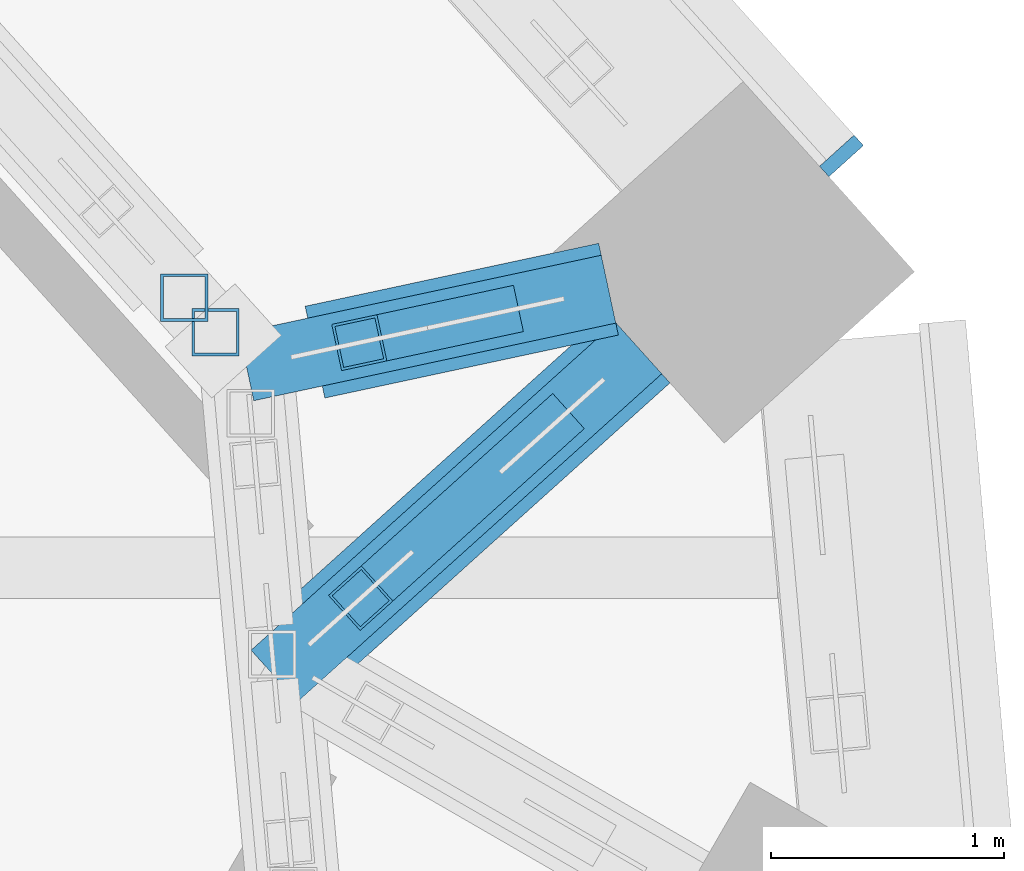
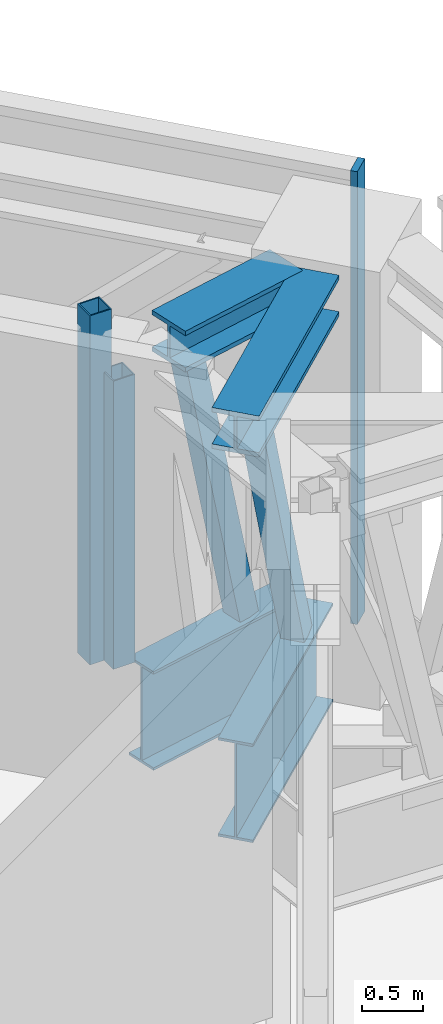
# One storey, part 10 of 25: 9 members, 1 element without a shape of its own.
"""IFC4 building model written with IfcOpenShell, lengths in metres."""

from ifc_helpers import new_model, si_unit, direction, frame, origin, origin_2d, place, context, subcontext, project, spatial, rectangle, hollow_rectangle, i_section, extrude, material, layer, layer_set, material_profile, profile_set, type_object, element, aggregate, save


model = new_model("IFC4")

# Units and contexts
model_context = context("Model", 3, precision=1e-05, world=origin(), true_north=direction((0.0, 1.0)))
body_context = subcontext(model_context, "Body", "Model", "MODEL_VIEW")
ifc_project = project(units=[si_unit("LENGTHUNIT", "METRE"), si_unit("AREAUNIT", "SQUARE_METRE"), si_unit("VOLUMEUNIT", "CUBIC_METRE"), si_unit("PLANEANGLEUNIT", "RADIAN"), si_unit("MASSUNIT", "GRAM", prefix="KILO")], contexts=[model_context])

# Site, building, storey
site_placement = place(None, origin())
site = spatial("IfcSite", under=ifc_project, at=site_placement, CompositionType="ELEMENT")
building_placement = place(site_placement, origin())
building = spatial("IfcBuilding", under=site, at=building_placement, Name="Isthmus Gate Tower", CompositionType="ELEMENT")
storey_placement = place(building_placement, frame((0.0, 0.0, 256.449951171875)))
storey = spatial("IfcBuildingStorey", under=building, at=storey_placement, Name="L65", CompositionType="ELEMENT", Elevation=256.449951171875)

# Curtain wall, member
ifc_material_1 = material(Name="Aluminium, pale champagne anodised", Category="aluminium")
ifc_layer = layer(ifc_material_1, 0.199951171875)
ifc_layer_set = layer_set([ifc_layer], Name="CW-2 LOUVRE CURTAIN WALL 200 DEEP")
curtain_wall_type = type_object("IfcCurtainWallType", Name="CW-2 LOUVRE CURTAIN WALL 200 DEEP", PredefinedType="NOTDEFINED", material=ifc_layer_set)
curtain_wall_placement = place(storey_placement, origin())
curtain_wall = element("IfcCurtainWall", 1, at=curtain_wall_placement, inside=storey, type_object=curtain_wall_type, Name="CW-2 NE L65", PredefinedType="NOTDEFINED")
ifc_material_2 = material(Name="Aluminium, pale champagne anodised", Category="aluminium")
ifc_material_profile_1 = material_profile(ifc_material_2, rectangle(XDim=0.06005859375, YDim=0.199951171875, at=origin_2d()), Name="60x200")
ifc_profile_set_1 = profile_set([ifc_material_profile_1], Name="Aluminium, pale champagne anodised")
member_type_1 = type_object("IfcMemberType", Name="CW-2 MULLION 60 X 200", PredefinedType="MULLION", material=ifc_profile_set_1)
member_1_placement = place(storey_placement, frame((29.016357421875, 4.46923828125, 0.0), z_axis=(0.0, 0.0, 1.0), x_axis=(-0.669130606359, 0.743144825477, 0.0)))
member_1 = element("IfcMember", 2, at=member_1_placement, type_object=member_type_1, Name="CW-2 mullion", PredefinedType="MULLION", context=body_context, shape_type="SweptSolid", body=[
    extrude(rectangle(XDim=0.06005859375, YDim=0.199951171875, at=origin_2d()), origin(), (0.0, 0.0, 1.0), 4.5),
])
aggregate(curtain_wall, [member_1])

# Members
ifc_material_3 = material(Name="Structural steel ASTM A913 Gr 65", Category="steel")
ifc_material_profile_2 = material_profile(ifc_material_3, i_section(OverallWidth=0.4033203125, OverallDepth=0.406494140625, WebThickness=0.027099609375, FlangeThickness=0.04443359375, at=origin_2d()), Name="W14X233")
ifc_profile_set_2 = profile_set([ifc_material_profile_2], Name="Structural steel ASTM A913 Gr 65")
member_type_2 = type_object("IfcMemberType", Name="TRANSFER TRUSS CHORD W14X233", PredefinedType="CHORD", material=ifc_profile_set_2)
member_2_placement = place(storey_placement, frame((28.14453125, 3.643798828125, 4.046875), z_axis=(-0.743161601784, -0.669111973913, 0.0), x_axis=(0.669111973913, -0.743161601784, 0.0)))
element("IfcMember", 3, at=member_2_placement, inside=storey, type_object=member_type_2, Name="str-link25-L65-02", PredefinedType="CHORD", context=body_context, shape_type="SweptSolid", body=[
    extrude(i_section(OverallWidth=0.4033203125, OverallDepth=0.406494140625, WebThickness=0.027099609375, FlangeThickness=0.04443359375, at=origin_2d()), origin(), (0.0, 0.0, 1.0), 2.106689453125),
])
member_3_placement = place(storey_placement, frame((28.015380859375, 3.896484375, 4.046875), z_axis=(-0.97777194169, -0.20967124277, 0.0), x_axis=(0.20967124277, -0.97777194169, 0.0)))
element("IfcMember", 4, at=member_3_placement, inside=storey, type_object=member_type_2, Name="str-link32-L65-02", PredefinedType="CHORD", context=body_context, shape_type="SweptSolid", body=[
    extrude(i_section(OverallWidth=0.4033203125, OverallDepth=0.406494140625, WebThickness=0.027099609375, FlangeThickness=0.04443359375, at=origin_2d()), origin(), (0.0, 0.0, 1.0), 1.2900390625),
])
ifc_material_4 = material(Name="Structural steel ASTM A913 Gr 65", Category="steel")
ifc_material_profile_3 = material_profile(ifc_material_4, i_section(OverallWidth=0.29833984375, OverallDepth=0.981201171875, WebThickness=0.015869140625, FlangeThickness=0.025390625, at=origin_2d()), Name="W40X167")
ifc_profile_set_3 = profile_set([ifc_material_profile_3], Name="Structural steel ASTM A913 Gr 65")
member_type_3 = type_object("IfcMemberType", Name="TRANSFER TRUSS CHORD W40X167", PredefinedType="CHORD", material=ifc_profile_set_3)
member_4_placement = place(storey_placement, frame((28.14453125, 3.643798828125, 0.490478515625), z_axis=(-0.743161601784, -0.669111973913, 0.0), x_axis=(0.669111973913, -0.743161601784, 0.0)))
element("IfcMember", 5, at=member_4_placement, inside=storey, type_object=member_type_3, Name="str-link25-L65-01", PredefinedType="CHORD", context=body_context, shape_type="SweptSolid", body=[
    extrude(i_section(OverallWidth=0.29833984375, OverallDepth=0.981201171875, WebThickness=0.015869140625, FlangeThickness=0.025390625, at=origin_2d()), origin(), (0.0, 0.0, 1.0), 2.106689453125),
])
member_5_placement = place(storey_placement, frame((28.015380859375, 3.896484375, 0.490478515625), z_axis=(-0.977784445586, -0.209612924148, 0.0), x_axis=(0.209612924148, -0.977784445586, 0.0)))
element("IfcMember", 6, at=member_5_placement, inside=storey, type_object=member_type_3, Name="str-link32-L65-01", PredefinedType="CHORD", context=body_context, shape_type="SweptSolid", body=[
    extrude(i_section(OverallWidth=0.29833984375, OverallDepth=0.981201171875, WebThickness=0.015869140625, FlangeThickness=0.025390625, at=origin_2d()), origin(), (0.0, 0.0, 1.0), 1.591064453125),
])
ifc_material_5 = material(Name="Structural steel ASTM A500 Gr C", Category="steel")
ifc_material_profile_4 = material_profile(ifc_material_5, hollow_rectangle(XDim=0.203125, YDim=0.203125, WallThickness=0.01171875, at=origin_2d()), Name="HSS8X8X1/2")
ifc_profile_set_4 = profile_set([ifc_material_profile_4], Name="Structural steel ASTM A500 Gr C")
member_type_4 = type_object("IfcMemberType", Name="TRANSFER TRUSS DIAGONAL HSS8X8X1/2", PredefinedType="BRACE", material=ifc_profile_set_4)
member_6_placement = place(storey_placement, frame((27.77294921875, 3.309326171875, 0.981201171875), z_axis=(-0.267997008667, -0.241348448886, 0.932699592348), x_axis=(0.669196232188, -0.743085730468, 0.0)))
element("IfcMember", 7, at=member_6_placement, inside=storey, type_object=member_type_4, Name="str-link25-L65-03", PredefinedType="BRACE", context=body_context, shape_type="SweptSolid", body=[
    extrude(hollow_rectangle(XDim=0.203125, YDim=0.203125, WallThickness=0.01171875, at=origin_2d()), origin(), (0.0, 0.0, 1.0), 3.069091796875),
])
member_7_placement = place(storey_placement, frame((27.531005859375, 3.792724609375, 0.981201171875), z_axis=(-0.200587179311, -0.043072403048, 0.978728538253), x_axis=(0.209945865231, -0.977713011917, 0.0)))
element("IfcMember", 8, at=member_7_placement, inside=storey, type_object=member_type_4, Name="str-link32-L65-03", PredefinedType="BRACE", context=body_context, shape_type="SweptSolid", body=[
    extrude(hollow_rectangle(XDim=0.203125, YDim=0.203125, WallThickness=0.01171875, at=origin_2d()), origin(), (0.0, 0.0, 1.0), 2.9248046875),
])
ifc_material_6 = material(Name="Structural steel ASTM A500 Gr C", Category="steel")
ifc_material_profile_5 = material_profile(ifc_material_6, hollow_rectangle(XDim=0.203125, YDim=0.203125, WallThickness=0.01171875, at=origin_2d()), Name="HSS8X8X1/2")
ifc_profile_set_5 = profile_set([ifc_material_profile_5], Name="Structural steel ASTM A500 Gr C")
member_type_5 = type_object("IfcMemberType", Name="TRANSFER TRUSS POST HSS8X8X1/2", PredefinedType="POST", material=ifc_profile_set_5)
member_8_placement = place(storey_placement, frame((26.19189453125, 3.860107421875, 0.981201171875), z_axis=(0.0, 0.0, 1.0), x_axis=(1.0, 0.0, 0.0)))
element("IfcMember", 9, at=member_8_placement, inside=storey, type_object=member_type_5, Name="str-ring01-L65-08", PredefinedType="POST", context=body_context, shape_type="SweptSolid", body=[
    extrude(hollow_rectangle(XDim=0.203125, YDim=0.203125, WallThickness=0.01171875, at=origin_2d()), origin(), (0.0, 0.0, 1.0), 3.46875),
])
member_9_placement = place(storey_placement, frame((26.325927734375, 3.71142578125, 0.981201171875), z_axis=(0.0, 0.0, 1.0), x_axis=(1.0, 0.0, 0.0)))
element("IfcMember", 10, at=member_9_placement, inside=storey, type_object=member_type_5, Name="str-ring01-L65-09", PredefinedType="POST", context=body_context, shape_type="SweptSolid", body=[
    extrude(hollow_rectangle(XDim=0.203125, YDim=0.203125, WallThickness=0.01171875, at=origin_2d()), origin(), (0.0, 0.0, 1.0), 2.862548828125),
])

save(model, "model.ifc")
